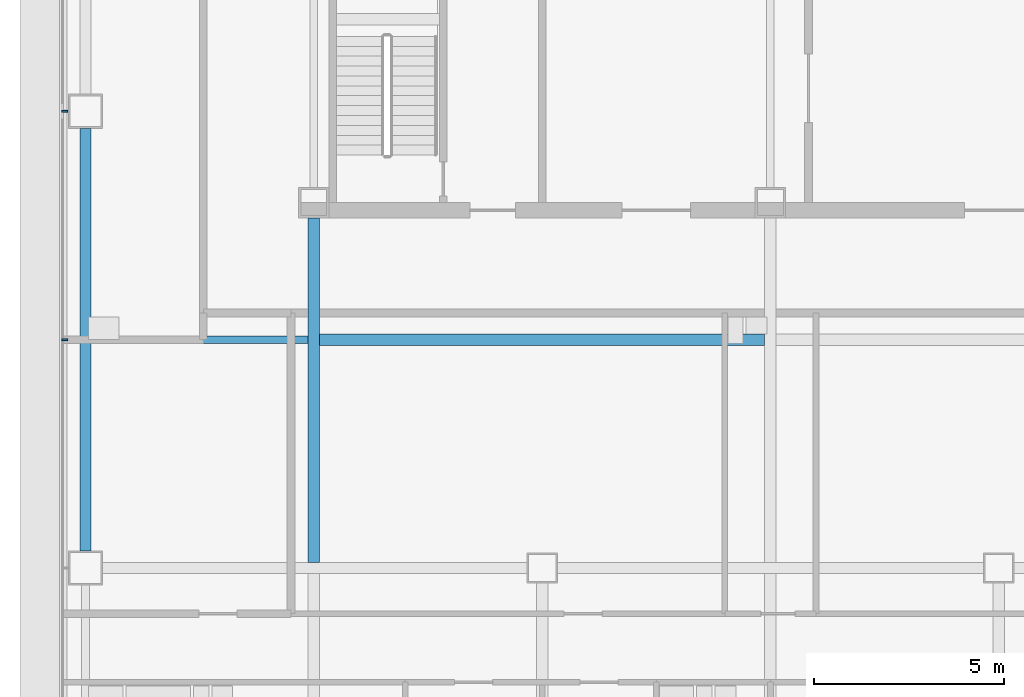
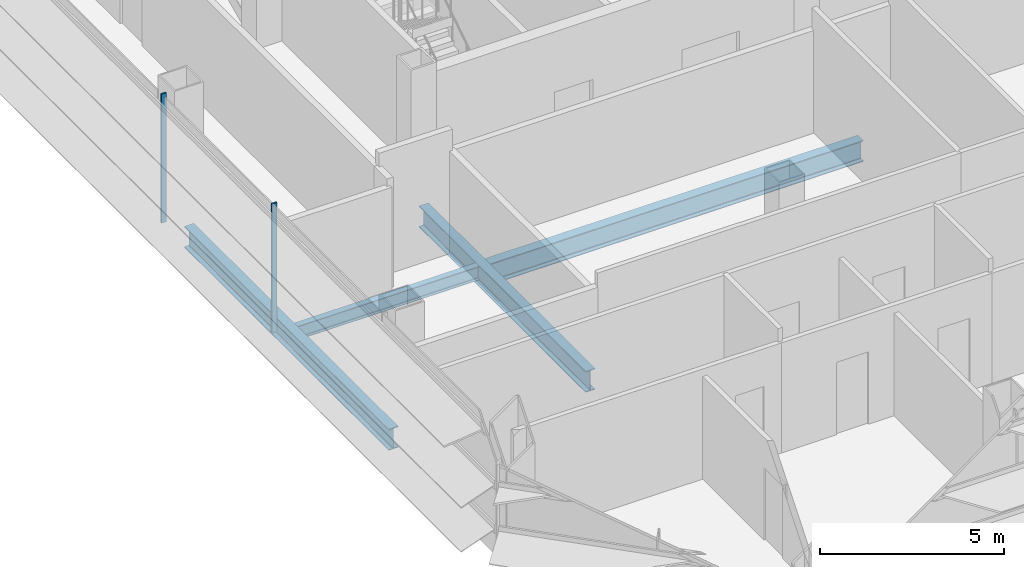
# One storey, part 4 of 27: 4 beams, 2 members, 1 element without a shape of its own.
"""IFC4 building model written with IfcOpenShell, lengths in metres."""

from ifc_helpers import new_model, si_unit, direction, frame, origin, origin_2d, place, context, subcontext, project, spatial, rectangle, i_section, extrude, material, material_profile, profile_set, type_object, element, aggregate, save


model = new_model("IFC4")

# Units and contexts
model_context = context("Model", 3, precision=1e-05, world=origin(), true_north=direction((0.0, 1.0)))
body_context = subcontext(model_context, "Body", "Model", "MODEL_VIEW")
ifc_project = project(units=[si_unit("LENGTHUNIT", "METRE"), si_unit("AREAUNIT", "SQUARE_METRE"), si_unit("VOLUMEUNIT", "CUBIC_METRE"), si_unit("PLANEANGLEUNIT", "RADIAN"), si_unit("MASSUNIT", "GRAM", prefix="KILO")], contexts=[model_context])

# Site, building, storey
site_placement = place(None, origin())
site = spatial("IfcSite", under=ifc_project, at=site_placement, CompositionType="ELEMENT")
building_placement = place(site_placement, origin())
building = spatial("IfcBuilding", under=site, at=building_placement, Name="Sorahane Residences", CompositionType="ELEMENT")
storey_placement = place(building_placement, frame((0.0, 0.0, 85.800048828125)))
storey = spatial("IfcBuildingStorey", under=building, at=storey_placement, Name="L18", CompositionType="ELEMENT", Elevation=85.800048828125)

# Curtain wall, members
ifc_material_1 = material(Name="Dark low-e glass and black anodised aluminium", Category="aluminium")
curtain_wall_type = type_object("IfcCurtainWallType", Name="Curtain wall CW-1 Typical unitised wall", PredefinedType="NOTDEFINED", material=ifc_material_1)
curtain_wall_placement = place(storey_placement, origin())
curtain_wall = element("IfcCurtainWall", 1, at=curtain_wall_placement, inside=storey, type_object=curtain_wall_type, Name="CW-1 curtain wall L18 W1", PredefinedType="NOTDEFINED")
ifc_material_2 = material(Name="Black anodised aluminium", Category="aluminium")
ifc_material_profile_1 = material_profile(ifc_material_2, rectangle(XDim=0.159912109375, YDim=0.050048828125, at=origin_2d()), Name="Curtain wall mullion CW-1 black anodised aluminium 50x160")
ifc_profile_set_1 = profile_set([ifc_material_profile_1], Name="Black anodised aluminium")
member_type = type_object("IfcMemberType", Name="Curtain wall mullion CW-1 black anodised aluminium 50x160", PredefinedType="MULLION", material=ifc_profile_set_1)
member_1_placement = place(storey_placement, frame((-0.5400390625, 24.0, -0.179931640625), z_axis=(0.0, 0.0, 1.0), x_axis=(-1.0, 0.0, 0.0)))
member_1 = element("IfcMember", 2, at=member_1_placement, type_object=member_type, Name="CW-1 mullion L18 W1.4", PredefinedType="MULLION", context=body_context, shape_type="SweptSolid", body=[
    extrude(rectangle(XDim=0.159912109375, YDim=0.050048828125, at=origin_2d()), origin(), (0.0, 0.0, 1.0), 4.27978515625),
])
member_2_placement = place(storey_placement, frame((-0.5400390625, 18.0, -0.179931640625), z_axis=(0.0, 0.0, 1.0), x_axis=(-1.0, 0.0, 0.0)))
member_2 = element("IfcMember", 3, at=member_2_placement, type_object=member_type, Name="CW-1 mullion L18 W1.5", PredefinedType="MULLION", context=body_context, shape_type="SweptSolid", body=[
    extrude(rectangle(XDim=0.159912109375, YDim=0.050048828125, at=origin_2d()), origin(), (0.0, 0.0, 1.0), 4.27978515625),
])
aggregate(curtain_wall, [member_1, member_2])

# Beams
ifc_material_3 = material(Name="Steel Q355B", Category="steel")
ifc_material_profile_2 = material_profile(ifc_material_3, i_section(OverallWidth=0.199951171875, OverallDepth=0.449951171875, WebThickness=0.009033203125, FlangeThickness=0.013916015625, FilletRadius=0.02001953125, at=origin_2d()), Name="HN 450x200x9x14")
ifc_profile_set_2 = profile_set([ifc_material_profile_2], Name="Steel Q355B")
beam_type_1 = type_object("IfcBeamType", Name="Steel floor beam HN 450x200x9x14 Q355B", PredefinedType="BEAM", material=ifc_profile_set_2)
beam_1_placement = place(storey_placement, frame((0.14990234375, 18.0, -0.405029296875), z_axis=(1.0, 0.0, 0.0), x_axis=(0.0, 1.0, 0.0)))
element("IfcBeam", 4, at=beam_1_placement, inside=storey, type_object=beam_type_1, Name="Beam L18 070", PredefinedType="BEAM", context=body_context, shape_type="SweptSolid", body=[
    extrude(i_section(OverallWidth=0.199951171875, OverallDepth=0.449951171875, WebThickness=0.009033203125, FlangeThickness=0.013916015625, FilletRadius=0.02001953125, at=origin_2d()), origin(), (0.0, 0.0, 1.0), 5.7001953125),
])
ifc_material_4 = material(Name="Steel Q355B", Category="steel")
ifc_material_profile_3 = material_profile(ifc_material_4, i_section(OverallWidth=0.300048828125, OverallDepth=0.699951171875, WebThickness=0.012939453125, FlangeThickness=0.02392578125, FilletRadius=0.028076171875, at=origin_2d()), Name="HN 700x300x13x24")
ifc_profile_set_3 = profile_set([ifc_material_profile_3], Name="Steel Q355B")
beam_type_2 = type_object("IfcBeamType", Name="Steel floor beam HN 700x300x13x24 Q355B", PredefinedType="BEAM", material=ifc_profile_set_3)
beam_2_placement = place(storey_placement, frame((0.0, 12.449951171875, -0.530029296875), z_axis=(0.0, 1.0, 0.0), x_axis=(-1.0, 0.0, 0.0)))
element("IfcBeam", 5, at=beam_2_placement, inside=storey, type_object=beam_type_2, Name="Beam L18 018", PredefinedType="BEAM", context=body_context, shape_type="SweptSolid", body=[
    extrude(i_section(OverallWidth=0.300048828125, OverallDepth=0.699951171875, WebThickness=0.012939453125, FlangeThickness=0.02392578125, FilletRadius=0.028076171875, at=origin_2d()), origin(), (0.0, 0.0, 1.0), 11.10009765625),
])
beam_3_placement = place(storey_placement, frame((6.0, 12.14990234375, -0.530029296875), z_axis=(0.0, 1.0, 0.0), x_axis=(-1.0, 0.0, 0.0)))
element("IfcBeam", 6, at=beam_3_placement, inside=storey, type_object=beam_type_2, Name="Beam L18 022", PredefinedType="BEAM", context=body_context, shape_type="SweptSolid", body=[
    extrude(i_section(OverallWidth=0.300048828125, OverallDepth=0.699951171875, WebThickness=0.012939453125, FlangeThickness=0.02392578125, FilletRadius=0.028076171875, at=origin_2d()), origin(), (0.0, 0.0, 1.0), 9.050048828125),
])
beam_4_placement = place(storey_placement, frame((6.14990234375, 18.0, -0.530029296875), z_axis=(1.0, 0.0, 0.0), x_axis=(0.0, 1.0, 0.0)))
element("IfcBeam", 7, at=beam_4_placement, inside=storey, type_object=beam_type_2, Name="Beam L18 071", PredefinedType="BEAM", context=body_context, shape_type="SweptSolid", body=[
    extrude(i_section(OverallWidth=0.300048828125, OverallDepth=0.699951171875, WebThickness=0.012939453125, FlangeThickness=0.02392578125, FilletRadius=0.028076171875, at=origin_2d()), origin(), (0.0, 0.0, 1.0), 11.7001953125),
])

save(model, "model.ifc")
